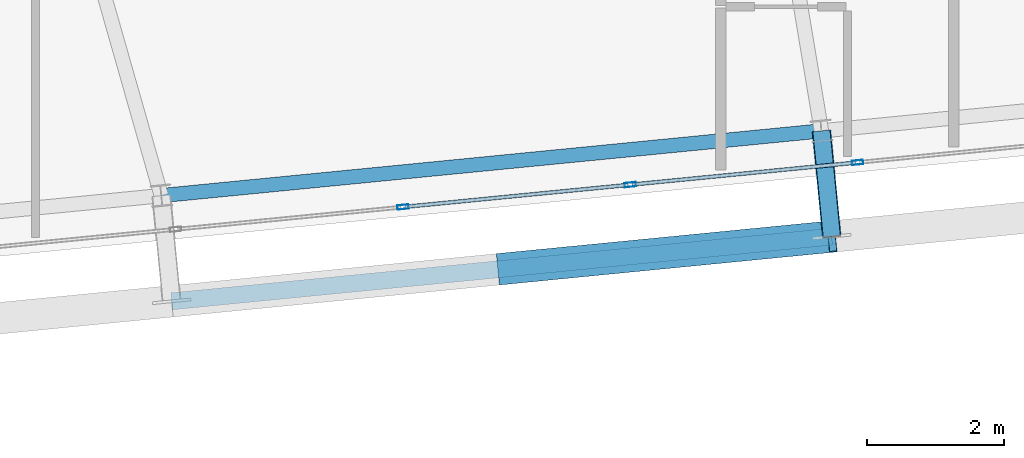
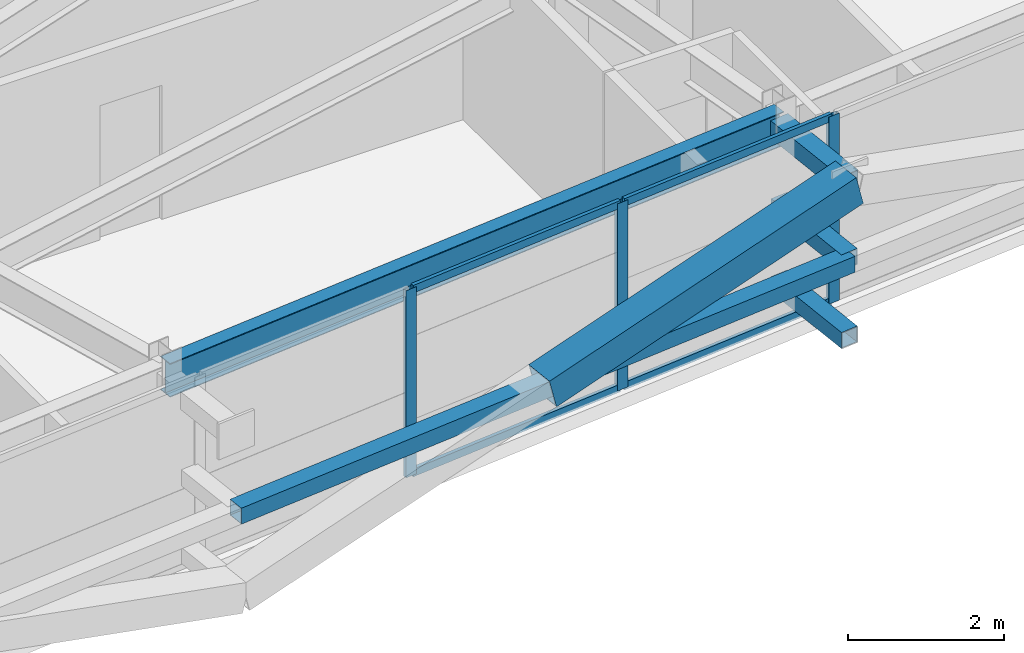
# One storey, part 18 of 53: 12 members, 1 beam, 1 element without a shape of its own.
"""IFC4 building model written with IfcOpenShell, lengths in metres."""

from ifc_helpers import new_model, si_unit, direction, frame, origin, origin_2d, place, context, subcontext, project, spatial, hollow_rectangle, i_section, extrude, source, transform, mapped, material, layer, layer_set, material_profile, profile_set, type_object, element, aggregate, save


model = new_model("IFC4")

# Units and contexts
model_context = context("Model", 3, precision=1e-05, world=origin(), true_north=direction((0.0, 1.0)))
body_context = subcontext(model_context, "Body", "Model", "MODEL_VIEW")
ifc_project = project(units=[si_unit("LENGTHUNIT", "METRE"), si_unit("AREAUNIT", "SQUARE_METRE"), si_unit("VOLUMEUNIT", "CUBIC_METRE"), si_unit("PLANEANGLEUNIT", "RADIAN"), si_unit("MASSUNIT", "GRAM", prefix="KILO")], contexts=[model_context])

# Site, building, storey
site_placement = place(None, origin())
site = spatial("IfcSite", under=ifc_project, at=site_placement, CompositionType="ELEMENT")
building_placement = place(site_placement, origin())
building = spatial("IfcBuilding", under=site, at=building_placement, Name="Taldren Reach Tower", CompositionType="ELEMENT")
storey_placement = place(building_placement, frame((0.0, 0.0, 84.0)))
storey = spatial("IfcBuildingStorey", under=building, at=storey_placement, Name="L25", CompositionType="ELEMENT", Elevation=84.0)

# Members
ifc_material_1 = material(Name="Steel Gr 450 (C450L0)", Category="steel")
ifc_material_profile_1 = material_profile(ifc_material_1, hollow_rectangle(XDim=0.27490234375, YDim=0.27490234375, WallThickness=0.00927734375, at=origin_2d()), Name="275x275x9.3SHS")
ifc_profile_set_1 = profile_set([ifc_material_profile_1], Name="Steel Gr 450 (C450L0)")
member_type_1 = type_object("IfcMemberType", Name="MB-TIE273", PredefinedType="STRUT", material=ifc_profile_set_1)
shared_shape_1 = source(origin(), body_context, "Body", "SweptSolid", [
    extrude(hollow_rectangle(XDim=0.27490234375, YDim=0.27490234375, WallThickness=0.00927734375, at=origin_2d()), origin(), (0.0, 0.0, 1.0), 1.5498046875),
])
member_1_placement = place(storey_placement, frame((53.469482421875, 3.698486328125, 2.64990234375), z_axis=(0.097507178627, -0.995234821595, 0.0), x_axis=(0.995234821595, 0.097507178627, 0.0)))
element("IfcMember", 1, at=member_1_placement, inside=storey, type_object=member_type_1, Name="Exoskeleton diaphragm tie strut B2-S5 L25", PredefinedType="STRUT", context=body_context, shape_type="MappedRepresentation", body=[
    mapped(shared_shape_1, transform((0.0, 0.0, 0.0), scale=1.0)),
])
ifc_material_2 = material(Name="Steel Gr 350 (C350L0)", Category="steel")
ifc_material_profile_2 = material_profile(ifc_material_2, hollow_rectangle(XDim=0.25, YDim=0.25, WallThickness=0.010009765625, at=origin_2d()), Name="250x250x10.0SHS")
ifc_profile_set_2 = profile_set([ifc_material_profile_2], Name="Steel Gr 350 (C350L0)")
member_type_2 = type_object("IfcMemberType", Name="MB-POST250", PredefinedType="POST", material=ifc_profile_set_2)
shared_shape_2 = source(origin(), body_context, "Body", "SweptSolid", [
    extrude(hollow_rectangle(XDim=0.25, YDim=0.25, WallThickness=0.010009765625, at=origin_2d()), origin(), (0.0, 0.0, 1.0), 1.5498046875),
])
for number, where, z_axis, x_axis, name in (
    (2, (53.469482421875, 3.698486328125, 0.219970703125), (0.097507178627, -0.995234821595, 0.0), (0.995234821595, 0.097507178627, 0.0), "Exoskeleton base diaphragm tie strut B2-S5 L25"),
    (3, (53.469482421875, 3.698486328125, 1.43505859375), (0.097507178627, -0.995234821595, 0.0), (0.995234821595, 0.097507178627, 0.0), "Exoskeleton mid-tier diaphragm tie B2-S5 L25"),
):
    element("IfcMember", number, at=place(storey_placement, frame(where, z_axis=z_axis, x_axis=x_axis)), inside=storey, type_object=member_type_2, Name=name, PredefinedType="POST", context=body_context, shape_type="MappedRepresentation", body=[
        mapped(shared_shape_2, transform((0.0, 0.0, 0.0), scale=1.0)),
    ])

# Beam
ifc_material_3 = material(Name="Steel Gr 350 (350PLUS)", Category="steel")
ifc_material_profile_3 = material_profile(ifc_material_3, i_section(OverallWidth=0.208984375, OverallDepth=0.528076171875, WebThickness=0.009521484375, FlangeThickness=0.01318359375, at=origin_2d()), Name="530UB82.0")
ifc_profile_set_3 = profile_set([ifc_material_profile_3], Name="Steel Gr 350 (350PLUS)")
beam_type = type_object("IfcBeamType", Name="SP-UB530B", PredefinedType="SPANDREL", material=ifc_profile_set_3)
shared_shape_3 = source(origin(), body_context, "Body", "SweptSolid", [
    extrude(i_section(OverallWidth=0.208984375, OverallDepth=0.528076171875, WebThickness=0.009521484375, FlangeThickness=0.01318359375, at=origin_2d()), origin(), (0.0, 0.0, 1.0), 9.68017578125),
])
beam_placement = place(storey_placement, frame((43.83544921875, 2.75390625, 2.666015625), z_axis=(0.995227852805, 0.097578281404, 0.0), x_axis=(-0.097578281404, 0.995227852805, 0.0)))
element("IfcBeam", 4, at=beam_placement, inside=storey, type_object=beam_type, Name="Perimeter spandrel B2 S4-S5 L25", PredefinedType="SPANDREL", context=body_context, shape_type="MappedRepresentation", body=[
    mapped(shared_shape_3, transform((0.0, 0.0, 0.0), scale=1.0)),
])

# Members
ifc_material_profile_4 = material_profile(ifc_material_1, hollow_rectangle(XDim=0.4599609375, YDim=0.4599609375, WallThickness=0.01611328125, at=origin_2d()), Name="460x460x16.0SHS")
ifc_profile_set_4 = profile_set([ifc_material_profile_4], Name="Steel Gr 450 (C450L0)")
member_type_3 = type_object("IfcMemberType", Name="MB-EXO457", PredefinedType="BRACE", material=ifc_profile_set_4)
shared_shape_4 = source(origin(), body_context, "Body", "SweptSolid", [
    extrude(hollow_rectangle(XDim=0.4599609375, YDim=0.4599609375, WallThickness=0.01611328125, at=origin_2d()), origin(), (0.0, 0.0, 1.0), 4.990234375),
])
member_2_placement = place(storey_placement, frame((48.8037109375, 1.68359375, 1.43505859375), z_axis=(0.965282554799, 0.094669120301, 0.243448859234), x_axis=(-0.097605711627, 0.995225162995, 0.0)))
element("IfcMember", 5, at=member_2_placement, inside=storey, type_object=member_type_3, Name="Exoskeleton Diagrid Brace B2-S4 L25", PredefinedType="BRACE", context=body_context, shape_type="MappedRepresentation", body=[
    mapped(shared_shape_4, transform((0.0, 0.0, 0.0), scale=1.0)),
])
shared_shape_5 = source(origin(), body_context, "Body", "SweptSolid", [
    extrude(hollow_rectangle(XDim=0.25, YDim=0.25, WallThickness=0.010009765625, at=origin_2d()), origin(), (0.0, 0.0, 1.0), 9.679931640625),
])
member_3_placement = place(storey_placement, frame((43.98681640625, 1.21142578125, 1.43505859375), z_axis=(0.995227612658, 0.097580730699, 0.0), x_axis=(-0.097580730699, 0.995227612658, 0.0)))
element("IfcMember", 6, at=member_3_placement, inside=storey, type_object=member_type_2, Name="Exoskeleton mid-height ring chord B2-S4 L25", PredefinedType="POST", context=body_context, shape_type="MappedRepresentation", body=[
    mapped(shared_shape_5, transform((0.0, 0.0, 0.0), scale=1.0)),
])

# Curtain wall, members
ifc_material_4 = material(Name="Aluminium and Low-E Glass Unitised System", Category="aluminium")
ifc_layer = layer(ifc_material_4, 0.159912109375)
ifc_layer_set = layer_set([ifc_layer], Name="Aluminium and Low-E Glass Unitised System")
curtain_wall_type = type_object("IfcCurtainWallType", Name="CW-SYS-3", PredefinedType="NOTDEFINED", material=ifc_layer_set)
curtain_wall_placement = place(storey_placement, origin())
curtain_wall = element("IfcCurtainWall", 7, at=curtain_wall_placement, inside=storey, type_object=curtain_wall_type, Name="Unitised curtain wall CW-L25-S", PredefinedType="NOTDEFINED")
ifc_material_5 = material(Name="Anodised Aluminium 6063-T6", Category="aluminium")
ifc_material_profile_5 = material_profile(ifc_material_5, hollow_rectangle(XDim=0.06494140625, YDim=0.1650390625, WallThickness=0.00390625, at=origin_2d()), Name="ALU-165x65x4RHS")
ifc_profile_set_5 = profile_set([ifc_material_profile_5], Name="Anodised Aluminium 6063-T6")
member_type_4 = type_object("IfcMemberType", Name="CW-MUL-165", PredefinedType="MULLION", material=ifc_profile_set_5)
shared_shape_6 = source(origin(), body_context, "Body", "SweptSolid", [
    extrude(hollow_rectangle(XDim=0.06494140625, YDim=0.1650390625, WallThickness=0.00390625, at=origin_2d()), origin(), (0.0, 0.0, 1.0), 2.929931640625),
])
member_4_placement = place(storey_placement, frame((47.362060546875, 2.587158203125, 0.0), z_axis=(0.0, 0.0, 1.0), x_axis=(-0.097582999046, 0.995227390247, 0.0)))
member_4 = element("IfcMember", 8, at=member_4_placement, type_object=member_type_4, Name="CW-3 mullion 11", PredefinedType="MULLION", context=body_context, shape_type="MappedRepresentation", body=[
    mapped(shared_shape_6, transform((0.0, 0.0, 0.0), scale=1.0)),
])
member_5_placement = place(storey_placement, frame((50.679443359375, 2.91259765625, 0.0), z_axis=(0.0, 0.0, 1.0), x_axis=(-0.097582999046, 0.995227390247, 0.0)))
member_5 = element("IfcMember", 9, at=member_5_placement, type_object=member_type_4, Name="CW-3 mullion 12", PredefinedType="MULLION", context=body_context, shape_type="MappedRepresentation", body=[
    mapped(shared_shape_6, transform((0.0, 0.0, 0.0), scale=1.0)),
])
member_6_placement = place(storey_placement, frame((53.996826171875, 3.23779296875, 0.0), z_axis=(0.0, 0.0, 1.0), x_axis=(-0.097582999046, 0.995227390247, 0.0)))
member_6 = element("IfcMember", 10, at=member_6_placement, type_object=member_type_4, Name="CW-3 mullion 13", PredefinedType="MULLION", context=body_context, shape_type="MappedRepresentation", body=[
    mapped(shared_shape_6, transform((0.0, 0.0, 0.0), scale=1.0)),
])
ifc_material_profile_6 = material_profile(ifc_material_5, hollow_rectangle(XDim=0.054931640625, YDim=0.1201171875, WallThickness=0.0029296875, at=origin_2d()), Name="ALU-120x55x3RHS")
ifc_profile_set_6 = profile_set([ifc_material_profile_6], Name="Anodised Aluminium 6063-T6")
member_type_5 = type_object("IfcMemberType", Name="CW-TRN-135", PredefinedType="USERDEFINED", material=ifc_profile_set_6)
shared_shape_7 = source(origin(), body_context, "Body", "SweptSolid", [
    extrude(hollow_rectangle(XDim=0.054931640625, YDim=0.1201171875, WallThickness=0.0029296875, at=origin_2d()), origin(), (0.0, 0.0, 1.0), 3.268310546875),
])
member_7_placement = place(storey_placement, frame((47.394287109375, 2.59033203125, 0.027587890625), z_axis=(0.995222549564, 0.097632355496, 0.0), x_axis=(-0.097632355496, 0.995222549564, 0.0)))
member_7 = element("IfcMember", 11, at=member_7_placement, type_object=member_type_5, Name="CW-3 transom 11.1", ObjectType="TRANSOM", PredefinedType="USERDEFINED", context=body_context, shape_type="MappedRepresentation", body=[
    mapped(shared_shape_7, transform((0.0, 0.0, 0.0), scale=1.0)),
])
member_8_placement = place(storey_placement, frame((47.394287109375, 2.59033203125, 2.902587890625), z_axis=(0.995222549564, 0.097632355496, 0.0), x_axis=(-0.097632355496, 0.995222549564, 0.0)))
member_8 = element("IfcMember", 12, at=member_8_placement, type_object=member_type_5, Name="CW-3 transom 11.2", ObjectType="TRANSOM", PredefinedType="USERDEFINED", context=body_context, shape_type="MappedRepresentation", body=[
    mapped(shared_shape_7, transform((0.0, 0.0, 0.0), scale=1.0)),
])
shared_shape_8 = source(origin(), body_context, "Body", "SweptSolid", [
    extrude(hollow_rectangle(XDim=0.054931640625, YDim=0.1201171875, WallThickness=0.0029296875, at=origin_2d()), origin(), (0.0, 0.0, 1.0), 3.2685546875),
])
member_9_placement = place(storey_placement, frame((50.711669921875, 2.915771484375, 0.027587890625), z_axis=(0.99523051601, 0.097551114824, 0.0), x_axis=(-0.097551114824, 0.99523051601, 0.0)))
member_9 = element("IfcMember", 13, at=member_9_placement, type_object=member_type_5, Name="CW-3 transom 12.1", ObjectType="TRANSOM", PredefinedType="USERDEFINED", context=body_context, shape_type="MappedRepresentation", body=[
    mapped(shared_shape_8, transform((0.0, 0.0, 0.0), scale=1.0)),
])
member_10_placement = place(storey_placement, frame((50.711669921875, 2.915771484375, 2.902587890625), z_axis=(0.99523051601, 0.097551114824, 0.0), x_axis=(-0.097551114824, 0.99523051601, 0.0)))
member_10 = element("IfcMember", 14, at=member_10_placement, type_object=member_type_5, Name="CW-3 transom 12.2", ObjectType="TRANSOM", PredefinedType="USERDEFINED", context=body_context, shape_type="MappedRepresentation", body=[
    mapped(shared_shape_8, transform((0.0, 0.0, 0.0), scale=1.0)),
])
aggregate(curtain_wall, [member_4, member_5, member_6, member_7, member_8, member_9, member_10])

save(model, "model.ifc")
